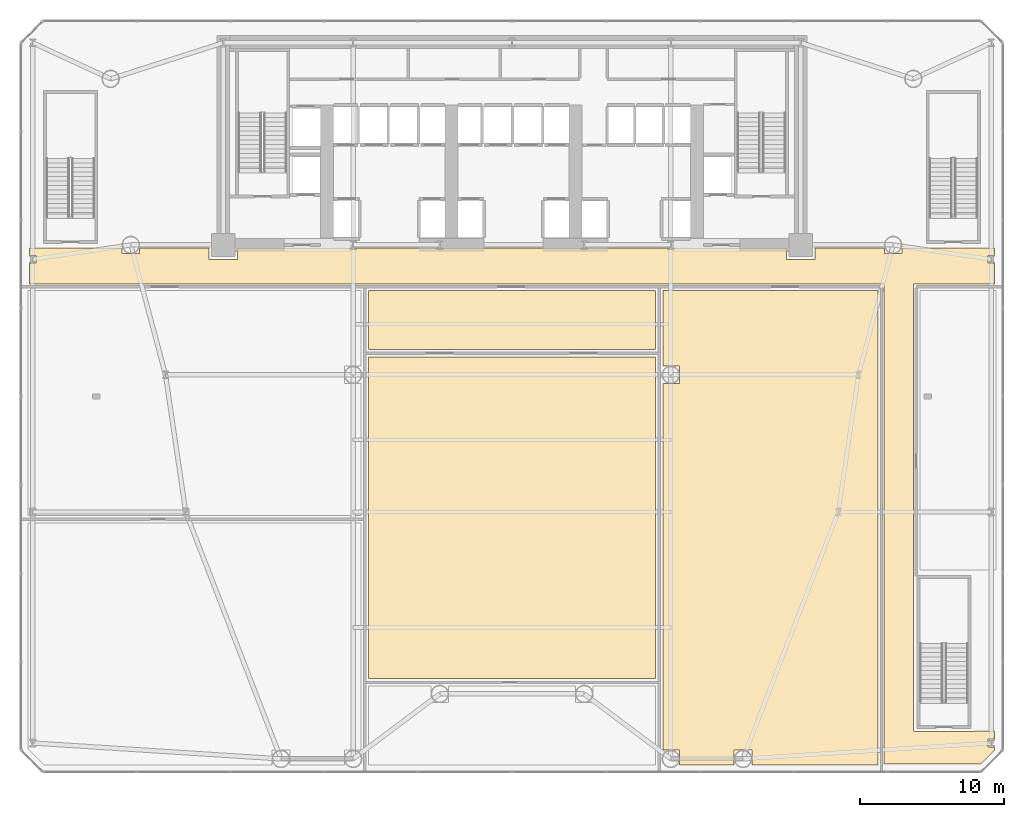
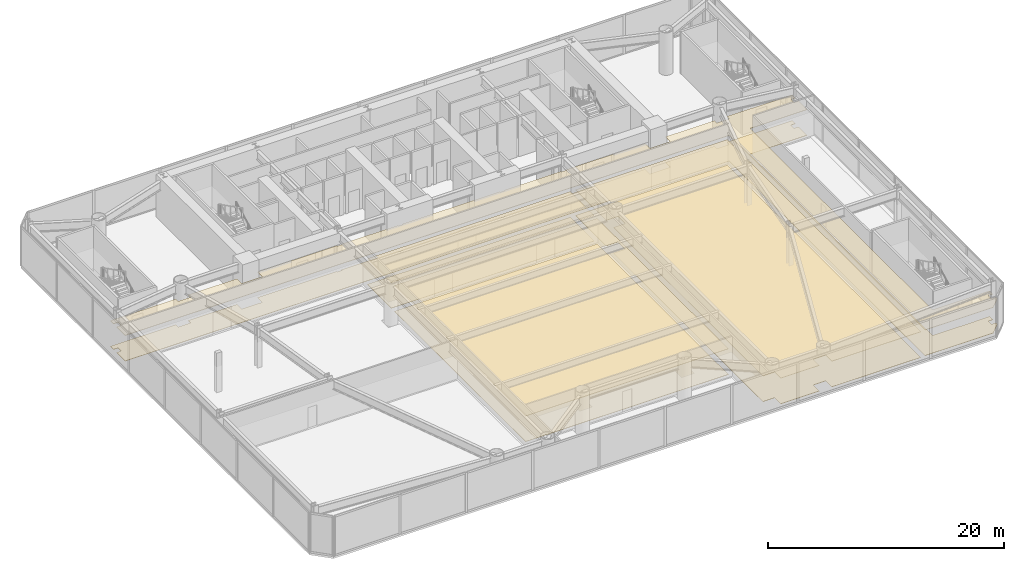
# One storey, part 20 of 24: 8 coverings.
"""IFC4 building model written with IfcOpenShell, lengths in metres."""

from ifc_helpers import new_model, si_unit, direction, frame, origin, place, context, subcontext, project, spatial, polyline, outline, extrude, material, layer, layer_set, type_object, element, save


model = new_model("IFC4")

# Units and contexts
model_context = context("Model", 3, precision=1e-05, world=origin(), true_north=direction((0.0, 1.0)))
body_context = subcontext(model_context, "Body", "Model", "MODEL_VIEW")
ifc_project = project(units=[si_unit("LENGTHUNIT", "METRE"), si_unit("AREAUNIT", "SQUARE_METRE"), si_unit("VOLUMEUNIT", "CUBIC_METRE"), si_unit("PLANEANGLEUNIT", "RADIAN"), si_unit("MASSUNIT", "GRAM", prefix="KILO")], contexts=[model_context])

# Site, building, storey
site_placement = place(None, origin())
site = spatial("IfcSite", under=ifc_project, at=site_placement, CompositionType="ELEMENT")
building_placement = place(site_placement, origin())
building = spatial("IfcBuilding", under=site, at=building_placement, Name="Vaeldorn Concourse Tower", CompositionType="ELEMENT")
storey_placement = place(building_placement, frame((0.0, 0.0, 10.0)))
storey = spatial("IfcBuildingStorey", under=building, at=storey_placement, Name="L02", CompositionType="ELEMENT", Elevation=10.0)

# Coverings
ifc_material_1 = material(Name="Acoustic Mineral Fibre Board", Category="gypsum")
ifc_layer_1 = layer(ifc_material_1, 0.0400390625)
ifc_layer_set_1 = layer_set([ifc_layer_1], Name="Acoustic Mineral Fibre Board")
covering_type_1 = type_object("IfcCoveringType", Name="COV-CEIL-ACOUSTIC", PredefinedType="CEILING", material=ifc_layer_set_1)
covering_1_placement = place(storey_placement, frame((0.0, 0.0, 2.64990234375)))
element("IfcCovering", 1, at=covering_1_placement, inside=storey, type_object=covering_type_1, Name="Suspended Acoustic Ceiling L02-3", PredefinedType="CEILING", context=body_context, shape_type="SweptSolid", body=[
    extrude(outline(polyline([(6.990478515625, 36.300048828125), (6.990478515625, 35.890380859375), (8.20947265625, 35.890380859375), (8.20947265625, 36.300048828125), (13.0, 36.300048828125), (13.0, 35.5), (15.0, 35.5), (15.0, 36.300048828125), (22.77294921875, 36.300048828125), (22.77294921875, 36.215576171875), (23.22705078125, 36.215576171875), (23.22705078125, 36.300048828125), (28.77294921875, 36.300048828125), (28.77294921875, 36.215576171875), (29.22705078125, 36.215576171875), (29.22705078125, 36.300048828125), (38.77294921875, 36.300048828125), (38.77294921875, 36.215576171875), (39.22705078125, 36.215576171875), (39.22705078125, 36.300048828125), (44.77294921875, 36.300048828125), (44.77294921875, 36.215576171875), (45.22705078125, 36.215576171875), (45.22705078125, 36.300048828125), (53.0, 36.300048828125), (53.0, 35.5), (55.0, 35.5), (55.0, 36.300048828125), (59.79052734375, 36.300048828125), (59.79052734375, 35.890380859375), (61.009521484375, 35.890380859375), (61.009521484375, 36.300048828125), (67.419921875, 36.300048828125), (67.419921875, 35.765380859375), (66.97900390625, 35.765380859375), (66.97900390625, 35.234619140625), (67.419921875, 35.234619140625), (67.419921875, 33.780029296875), (61.820068359375, 33.780029296875), (61.820068359375, 2.820068359375), (61.85009765625, 2.820068359375), (61.85009765625, 2.800048828125), (66.0, 2.800048828125), (66.0, 2.820068359375), (67.419921875, 2.820068359375), (67.419921875, 2.265380859375), (66.97900390625, 2.265380859375), (66.97900390625, 1.734619140625), (67.419921875, 1.734619140625), (67.419921875, 1.485595703125), (66.46435546875, 0.530029296875), (59.780029296875, 0.530029296875), (59.780029296875, 33.780029296875), (0.580078125, 33.780029296875), (0.580078125, 35.234619140625), (1.02099609375, 35.234619140625), (1.02099609375, 35.765380859375), (0.580078125, 35.765380859375), (0.580078125, 36.300048828125), (6.990478515625, 36.300048828125)])), origin(), (0.0, 0.0, 1.0), 0.0400390625),
])
covering_2_placement = place(storey_placement, frame((0.0, 0.0, 2.64990234375)))
element("IfcCovering", 2, at=covering_2_placement, inside=storey, type_object=covering_type_1, Name="Suspended Acoustic Ceiling L02-4", PredefinedType="CEILING", context=body_context, shape_type="SweptSolid", body=[
    extrude(outline(polyline([(24.06005859375, 28.739990234375), (43.93994140625, 28.739990234375), (43.93994140625, 6.4599609375), (24.06005859375, 6.4599609375), (24.06005859375, 28.739990234375)])), origin(), (0.0, 0.0, 1.0), 0.0400390625),
])
covering_3_placement = place(storey_placement, frame((0.0, 0.0, 2.64990234375)))
element("IfcCovering", 3, at=covering_3_placement, inside=storey, type_object=covering_type_1, Name="Suspended Acoustic Ceiling L02-5", PredefinedType="CEILING", context=body_context, shape_type="SweptSolid", body=[
    extrude(outline(polyline([(24.06005859375, 33.340087890625), (43.93994140625, 33.340087890625), (43.93994140625, 29.260009765625), (24.06005859375, 29.260009765625), (24.06005859375, 33.340087890625)])), origin(), (0.0, 0.0, 1.0), 0.0400390625),
])
covering_4_placement = place(storey_placement, frame((0.0, 0.0, 2.64990234375)))
element("IfcCovering", 4, at=covering_4_placement, inside=storey, type_object=covering_type_1, Name="Suspended Acoustic Ceiling L02-8", PredefinedType="CEILING", context=body_context, shape_type="SweptSolid", body=[
    extrude(outline(polyline([(44.4599609375, 26.890380859375), (45.609619140625, 26.890380859375), (45.609619140625, 28.109619140625), (44.4599609375, 28.109619140625), (44.4599609375, 33.340087890625), (59.340087890625, 33.340087890625), (59.340087890625, 0.47998046875), (50.609619140625, 0.47998046875), (50.609619140625, 1.509521484375), (49.390380859375, 1.509521484375), (49.390380859375, 0.47998046875), (45.609619140625, 0.47998046875), (45.609619140625, 1.509521484375), (44.4599609375, 1.509521484375), (44.4599609375, 26.890380859375)])), origin(), (0.0, 0.0, 1.0), 0.0400390625),
])
ifc_material_2 = material(Name="Honed Limestone Terrazzo Flooring", Category="masonry")
ifc_layer_2 = layer(ifc_material_2, 0.0400390625)
ifc_layer_set_2 = layer_set([ifc_layer_2], Name="Honed Limestone Terrazzo Flooring")
covering_type_2 = type_object("IfcCoveringType", Name="COV-FLOOR-STONE", PredefinedType="FLOORING", material=ifc_layer_set_2)
covering_5_placement = place(storey_placement, origin())
element("IfcCovering", 5, at=covering_5_placement, inside=storey, type_object=covering_type_2, Name="Floor Finish Covering L02-3", PredefinedType="FLOORING", context=body_context, shape_type="SweptSolid", body=[
    extrude(outline(polyline([(6.990478515625, 36.300048828125), (6.990478515625, 35.890380859375), (8.20947265625, 35.890380859375), (8.20947265625, 36.300048828125), (13.0, 36.300048828125), (13.0, 35.5), (15.0, 35.5), (15.0, 36.300048828125), (22.77294921875, 36.300048828125), (22.77294921875, 36.215576171875), (23.22705078125, 36.215576171875), (23.22705078125, 36.300048828125), (28.77294921875, 36.300048828125), (28.77294921875, 36.215576171875), (29.22705078125, 36.215576171875), (29.22705078125, 36.300048828125), (38.77294921875, 36.300048828125), (38.77294921875, 36.215576171875), (39.22705078125, 36.215576171875), (39.22705078125, 36.300048828125), (44.77294921875, 36.300048828125), (44.77294921875, 36.215576171875), (45.22705078125, 36.215576171875), (45.22705078125, 36.300048828125), (53.0, 36.300048828125), (53.0, 35.5), (55.0, 35.5), (55.0, 36.300048828125), (59.79052734375, 36.300048828125), (59.79052734375, 35.890380859375), (61.009521484375, 35.890380859375), (61.009521484375, 36.300048828125), (67.419921875, 36.300048828125), (67.419921875, 35.765380859375), (66.97900390625, 35.765380859375), (66.97900390625, 35.234619140625), (67.419921875, 35.234619140625), (67.419921875, 33.780029296875), (61.820068359375, 33.780029296875), (61.820068359375, 2.820068359375), (61.85009765625, 2.820068359375), (61.85009765625, 2.800048828125), (66.0, 2.800048828125), (66.0, 2.820068359375), (67.419921875, 2.820068359375), (67.419921875, 2.265380859375), (66.97900390625, 2.265380859375), (66.97900390625, 1.734619140625), (67.419921875, 1.734619140625), (67.419921875, 1.485595703125), (66.46435546875, 0.530029296875), (59.780029296875, 0.530029296875), (59.780029296875, 33.780029296875), (0.580078125, 33.780029296875), (0.580078125, 35.234619140625), (1.02099609375, 35.234619140625), (1.02099609375, 35.765380859375), (0.580078125, 35.765380859375), (0.580078125, 36.300048828125), (6.990478515625, 36.300048828125)])), origin(), (0.0, 0.0, 1.0), 0.030029296875),
])
covering_6_placement = place(storey_placement, origin())
element("IfcCovering", 6, at=covering_6_placement, inside=storey, type_object=covering_type_2, Name="Floor Finish Covering L02-4", PredefinedType="FLOORING", context=body_context, shape_type="SweptSolid", body=[
    extrude(outline(polyline([(24.06005859375, 28.739990234375), (43.93994140625, 28.739990234375), (43.93994140625, 6.4599609375), (24.06005859375, 6.4599609375), (24.06005859375, 28.739990234375)])), origin(), (0.0, 0.0, 1.0), 0.030029296875),
])
covering_7_placement = place(storey_placement, origin())
element("IfcCovering", 7, at=covering_7_placement, inside=storey, type_object=covering_type_2, Name="Floor Finish Covering L02-5", PredefinedType="FLOORING", context=body_context, shape_type="SweptSolid", body=[
    extrude(outline(polyline([(24.06005859375, 33.340087890625), (43.93994140625, 33.340087890625), (43.93994140625, 29.260009765625), (24.06005859375, 29.260009765625), (24.06005859375, 33.340087890625)])), origin(), (0.0, 0.0, 1.0), 0.030029296875),
])
covering_8_placement = place(storey_placement, origin())
element("IfcCovering", 8, at=covering_8_placement, inside=storey, type_object=covering_type_2, Name="Floor Finish Covering L02-8", PredefinedType="FLOORING", context=body_context, shape_type="SweptSolid", body=[
    extrude(outline(polyline([(44.4599609375, 26.890380859375), (45.609619140625, 26.890380859375), (45.609619140625, 28.109619140625), (44.4599609375, 28.109619140625), (44.4599609375, 33.340087890625), (59.340087890625, 33.340087890625), (59.340087890625, 0.47998046875), (50.609619140625, 0.47998046875), (50.609619140625, 1.509521484375), (49.390380859375, 1.509521484375), (49.390380859375, 0.47998046875), (45.609619140625, 0.47998046875), (45.609619140625, 1.509521484375), (44.4599609375, 1.509521484375), (44.4599609375, 26.890380859375)])), origin(), (0.0, 0.0, 1.0), 0.030029296875),
])

save(model, "model.ifc")
